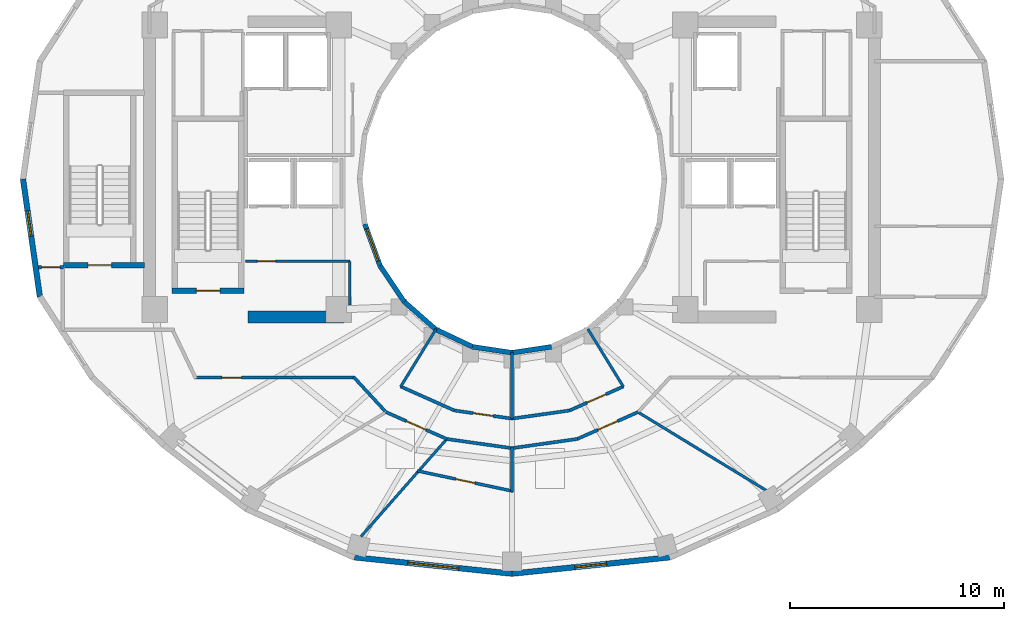
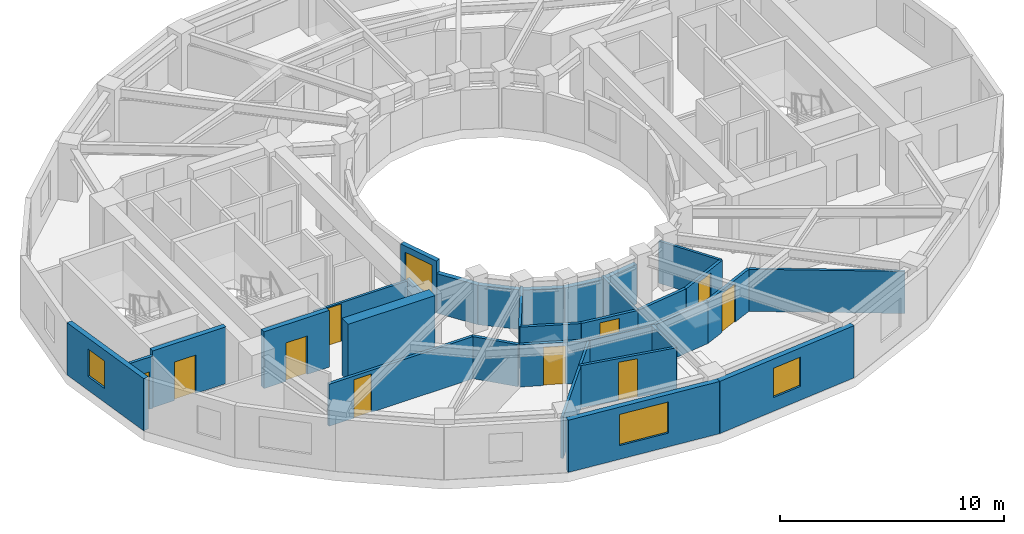
# One storey, part 3 of 9: 32 walls, 10 doors, 4 windows, 14 openings.
"""IFC4 building model written with IfcOpenShell, lengths in metres."""

from ifc_helpers import new_model, si_unit, direction, frame, frame_2d, origin, place, context, subcontext, project, spatial, rectangle, extrude, material, layer, layer_set, type_object, element, fill, save


model = new_model("IFC4")

# Units and contexts
model_context = context("Model", 3, precision=1e-05, world=origin(), true_north=direction((0.0, 1.0)))
body_context = subcontext(model_context, "Body", "Model", "MODEL_VIEW")
ifc_project = project(units=[si_unit("LENGTHUNIT", "METRE"), si_unit("AREAUNIT", "SQUARE_METRE"), si_unit("VOLUMEUNIT", "CUBIC_METRE"), si_unit("PLANEANGLEUNIT", "RADIAN"), si_unit("MASSUNIT", "GRAM", prefix="KILO")], contexts=[model_context])

# Site, building, storey
site_placement = place(None, origin())
site = spatial("IfcSite", under=ifc_project, at=site_placement, CompositionType="ELEMENT")
building_placement = place(site_placement, origin())
building = spatial("IfcBuilding", under=site, at=building_placement, Name="Solvane Sanctuary Tower", CompositionType="ELEMENT")
storey_placement = place(building_placement, frame((0.0, 0.0, 180.800048828125)))
storey = spatial("IfcBuildingStorey", under=building, at=storey_placement, Name="L55", CompositionType="ELEMENT", Elevation=180.800048828125)

# Wall
ifc_material_1 = material(Name="Concrete C50/60", Category="concrete")
ifc_layer_1 = layer(ifc_material_1, 0.550048828125, Name="Concrete C50/60")
ifc_layer_set_1 = layer_set([ifc_layer_1], Name="Concrete C50/60")
wall_type_1 = type_object("IfcWallType", Name="Wall W-CORE-550", PredefinedType="SHEAR", material=ifc_layer_set_1)
wall_1_placement = place(storey_placement, frame((19.64990234375, 16.550048828125, 0.0), z_axis=(0.0, 0.0, 1.0), x_axis=(1.0, 0.0, 0.0)))
element("IfcWall", 1, at=wall_1_placement, inside=storey, type_object=wall_type_1, Name="L55 Core Shear Wall WC-S", PredefinedType="SHEAR", context=body_context, shape_type="SweptSolid", body=[
    extrude(rectangle(XDim=4.5, YDim=0.550048828125, at=frame_2d((2.25, 0.0))), origin(), (0.0, 0.0, 1.0), 3.099853515625),
])

# Wall, opening, door
ifc_material_2 = material(Name="Acoustic Gypsum Partition Board")
ifc_layer_2 = layer(ifc_material_2, 0.14990234375, Name="Acoustic Gypsum Partition Board")
ifc_layer_set_2 = layer_set([ifc_layer_2], Name="Acoustic Gypsum Partition Board")
wall_type_2 = type_object("IfcWallType", Name="Wall W-CORR-150", PredefinedType="PARTITIONING", material=ifc_layer_set_2)
wall_2_placement = place(storey_placement, frame((9.869873046875, 18.8798828125, 0.0), z_axis=(0.0, 0.0, 1.0), x_axis=(1.0, 0.0, 0.0)))
wall_2 = element("IfcWall", 2, at=wall_2_placement, inside=storey, type_object=wall_type_2, Name="L55 SW Corner Closer 1", PredefinedType="PARTITIONING", context=body_context, shape_type="SweptSolid", body=[
    extrude(rectangle(XDim=1.170166015625, YDim=0.14990234375, at=frame_2d((0.5849609375, 0.0))), origin(), (0.0, 0.0, 1.0), 2.85498046875),
])
opening_1_placement = place(wall_2_placement, frame((0.139892578125, 0.0, 0.0)))
opening_1 = element("IfcOpeningElement", 3, at=opening_1_placement, cuts=wall_2, Name="Opening D-L55-17", PredefinedType="OPENING", context=body_context, shape_type="SweptSolid", body=[
    extrude(rectangle(XDim=0.85009765625, YDim=2.050048828125, at=frame_2d((0.425048828125, 1.02490234375))), frame((0.0, 0.0849609375, 0.0), z_axis=(0.0, -1.0, 0.0), x_axis=(1.0, 0.0, 0.0)), (0.0, 0.0, 1.0), 0.169921875),
])
ifc_material_3 = material(Name="Architectural Stainless Steel 316", Category="steel")
door_type_1 = type_object("IfcDoorType", Name="Door D-RISER", OperationType="NOTDEFINED", PredefinedType="DOOR", material=ifc_material_3)
door_1_placement = place(opening_1_placement, origin())
door_1 = element("IfcDoor", 4, at=door_1_placement, inside=storey, type_object=door_type_1, Name="L55 West Lookout Study Door", OperationType="SINGLE_SWING_LEFT", OverallHeight=2.050048828125, OverallWidth=0.85009765625, PredefinedType="DOOR", context=body_context, shape_type="SweptSolid", body=[
    extrude(rectangle(XDim=0.85009765625, YDim=2.050048828125, at=frame_2d((0.425048828125, 1.02490234375))), frame((0.0, 0.02490234375, 0.0), z_axis=(0.0, -1.0, 0.0), x_axis=(1.0, 0.0, 0.0)), (0.0, 0.0, 1.0), 0.050048828125),
])
fill(opening_1, door_1)

# Wall
wall_3_placement = place(storey_placement, frame((26.07177734375, 12.144287109375, 0.0), z_axis=(0.0, 0.0, 1.0), x_axis=(-0.677579737957, 0.735449317567, 0.0)))
element("IfcWall", 5, at=wall_3_placement, inside=storey, type_object=wall_type_2, Name="L55 SW Corner Throat Wall", PredefinedType="PARTITIONING", context=body_context, shape_type="SweptSolid", body=[
    extrude(rectangle(XDim=2.172607421875, YDim=0.14990234375, at=frame_2d((1.08642578125, 0.0))), origin(), (0.0, 0.0, 1.0), 2.299072265625),
])

# Wall, opening, door
wall_4_placement = place(storey_placement, frame((17.14990234375, 13.719970703125, 0.0), z_axis=(0.0, 0.0, 1.0), x_axis=(1.0, 0.0, 0.0)))
wall_4 = element("IfcWall", 6, at=wall_4_placement, inside=storey, type_object=wall_type_2, Name="L55 SW Corner Corridor Wall", PredefinedType="PARTITIONING", context=body_context, shape_type="SweptSolid", body=[
    extrude(rectangle(XDim=7.52001953125, YDim=0.14990234375, at=frame_2d((3.760009765625, 0.0))), origin(), (0.0, 0.0, 1.0), 2.299072265625),
])
opening_2_placement = place(wall_4_placement, frame((1.300048828125, 0.0, 0.0)))
opening_2 = element("IfcOpeningElement", 7, at=opening_2_placement, cuts=wall_4, Name="Opening D-L55-18", PredefinedType="OPENING", context=body_context, shape_type="SweptSolid", body=[
    extrude(rectangle(XDim=0.89990234375, YDim=2.10009765625, at=frame_2d((0.449951171875, 1.050048828125))), frame((0.0, 0.0849609375, 0.0), z_axis=(0.0, -1.0, 0.0), x_axis=(1.0, 0.0, 0.0)), (0.0, 0.0, 1.0), 0.169921875),
])
ifc_material_4 = material(Name="Engineered Tropical Hardwood", Category="wood")
door_type_2 = type_object("IfcDoorType", Name="Door D-WET-900", OperationType="NOTDEFINED", PredefinedType="DOOR", material=ifc_material_4)
door_2_placement = place(opening_2_placement, origin())
door_2 = element("IfcDoor", 8, at=door_2_placement, inside=storey, type_object=door_type_2, Name="L55 SW Corner Salon Door", OperationType="SINGLE_SWING_RIGHT", OverallHeight=2.10009765625, OverallWidth=0.89990234375, PredefinedType="DOOR", context=body_context, shape_type="SweptSolid", body=[
    extrude(rectangle(XDim=0.89990234375, YDim=2.10009765625, at=frame_2d((0.449951171875, 1.050048828125))), frame((0.0, 0.02490234375, 0.0), z_axis=(0.0, -1.0, 0.0), x_axis=(1.0, 0.0, 0.0)), (0.0, 0.0, 1.0), 0.050048828125),
])
fill(opening_2, door_2)

# Wall
wall_5_placement = place(storey_placement, frame((26.792724609375, 13.302734375, 0.0), z_axis=(0.0, 0.0, 1.0), x_axis=(0.913145536541, -0.407633694749, 0.0)))
element("IfcWall", 9, at=wall_5_placement, inside=storey, type_object=wall_type_2, Name="L55 Inner Light-Well Corridor Wall S1", PredefinedType="PARTITIONING", context=body_context, shape_type="SweptSolid", body=[
    extrude(rectangle(XDim=2.75634765625, YDim=0.14990234375, at=frame_2d((1.378173828125, 0.0))), origin(), (0.0, 0.0, 1.0), 2.299072265625),
])

# Wall, opening, door
wall_6_placement = place(storey_placement, frame((29.305908203125, 12.18017578125, 0.0), z_axis=(0.0, 0.0, 1.0), x_axis=(0.990145400278, -0.140043158738, 0.0)))
wall_6 = element("IfcWall", 10, at=wall_6_placement, inside=storey, type_object=wall_type_2, Name="L55 Inner Light-Well Corridor Wall S1", PredefinedType="PARTITIONING", context=body_context, shape_type="SweptSolid", body=[
    extrude(rectangle(XDim=2.728271484375, YDim=0.14990234375, at=frame_2d((1.3642578125, 0.0))), origin(), (0.0, 0.0, 1.0), 2.299072265625),
])
opening_3_placement = place(wall_6_placement, frame((0.88916015625, 0.0, 0.0)))
opening_3 = element("IfcOpeningElement", 11, at=opening_3_placement, cuts=wall_6, Name="Opening D-L55-20", PredefinedType="OPENING", context=body_context, shape_type="SweptSolid", body=[
    extrude(rectangle(XDim=0.949951171875, YDim=2.10009765625, at=frame_2d((0.47509765625, 1.050048828125))), frame((0.0, 0.0849609375, 0.0), z_axis=(0.0, -1.0, 0.0), x_axis=(1.0, 0.0, 0.0)), (0.0, 0.0, 1.0), 0.169921875),
])
door_type_3 = type_object("IfcDoorType", Name="Door D-ROOM-950", OperationType="NOTDEFINED", PredefinedType="DOOR", material=ifc_material_4)
door_3_placement = place(opening_3_placement, origin())
door_3 = element("IfcDoor", 12, at=door_3_placement, inside=storey, type_object=door_type_3, Name="L55 Inner Light-Well Salon Door S1", OperationType="SINGLE_SWING_RIGHT", OverallHeight=2.10009765625, OverallWidth=0.949951171875, PredefinedType="DOOR", context=body_context, shape_type="SweptSolid", body=[
    extrude(rectangle(XDim=0.949951171875, YDim=2.10009765625, at=frame_2d((0.47509765625, 1.050048828125))), frame((0.0, 0.02490234375, 0.0), z_axis=(0.0, -1.0, 0.0), x_axis=(1.0, 0.0, 0.0)), (0.0, 0.0, 1.0), 0.050048828125),
])
fill(opening_3, door_3)

# Wall
wall_7_placement = place(storey_placement, frame((31.99267578125, 11.798095703125, 0.0), z_axis=(0.0, 0.0, 1.0), x_axis=(0.990145400278, 0.140043158738, 0.0)))
element("IfcWall", 13, at=wall_7_placement, inside=storey, type_object=wall_type_2, Name="L55 Inner Light-Well Corridor Wall S2", PredefinedType="PARTITIONING", context=body_context, shape_type="SweptSolid", body=[
    extrude(rectangle(XDim=2.728271484375, YDim=0.14990234375, at=frame_2d((1.3642578125, 0.0))), origin(), (0.0, 0.0, 1.0), 2.299072265625),
])

# Wall, opening, door
wall_8_placement = place(storey_placement, frame((34.6904296875, 12.17919921875, 0.0), z_axis=(0.0, 0.0, 1.0), x_axis=(0.913145536541, 0.407633694749, 0.0)))
wall_8 = element("IfcWall", 14, at=wall_8_placement, inside=storey, type_object=wall_type_2, Name="L55 Inner Light-Well Corridor Wall S2", PredefinedType="PARTITIONING", context=body_context, shape_type="SweptSolid", body=[
    extrude(rectangle(XDim=2.75634765625, YDim=0.14990234375, at=frame_2d((1.378173828125, 0.0))), origin(), (0.0, 0.0, 1.0), 2.299072265625),
])
opening_4_placement = place(wall_8_placement, frame((0.903076171875, 0.0, 0.0)))
opening_4 = element("IfcOpeningElement", 15, at=opening_4_placement, cuts=wall_8, Name="Opening D-L55-21", PredefinedType="OPENING", context=body_context, shape_type="SweptSolid", body=[
    extrude(rectangle(XDim=0.949951171875, YDim=2.10009765625, at=frame_2d((0.47509765625, 1.050048828125))), frame((0.0, 0.0849609375, 0.0), z_axis=(0.0, -1.0, 0.0), x_axis=(1.0, 0.0, 0.0)), (0.0, 0.0, 1.0), 0.169921875),
])
door_4_placement = place(opening_4_placement, origin())
door_4 = element("IfcDoor", 16, at=door_4_placement, inside=storey, type_object=door_type_3, Name="L55 Inner Light-Well Salon Door S2", OperationType="SINGLE_SWING_LEFT", OverallHeight=2.10009765625, OverallWidth=0.949951171875, PredefinedType="DOOR", context=body_context, shape_type="SweptSolid", body=[
    extrude(rectangle(XDim=0.949951171875, YDim=2.10009765625, at=frame_2d((0.47509765625, 1.050048828125))), frame((0.0, 0.02490234375, 0.0), z_axis=(0.0, -1.0, 0.0), x_axis=(1.0, 0.0, 0.0)), (0.0, 0.0, 1.0), 0.050048828125),
])
fill(opening_4, door_4)

wall_9_placement = place(storey_placement, frame((26.101806640625, 12.108154296875, 0.0), z_axis=(0.0, 0.0, 1.0), x_axis=(0.914519212393, -0.40454247016, 0.0)))
wall_9 = element("IfcWall", 17, at=wall_9_placement, inside=storey, type_object=wall_type_2, Name="L55 Unit Corridor Wall S1", PredefinedType="PARTITIONING", context=body_context, shape_type="SweptSolid", body=[
    extrude(rectangle(XDim=3.123779296875, YDim=0.14990234375, at=frame_2d((1.56201171875, 0.0))), origin(), (0.0, 0.0, 1.0), 2.299072265625),
])
opening_5_placement = place(wall_9_placement, frame((1.061767578125, 0.0, 0.0)))
opening_5 = element("IfcOpeningElement", 18, at=opening_5_placement, cuts=wall_9, Name="Opening D-L55-27", PredefinedType="OPENING", context=body_context, shape_type="SweptSolid", body=[
    extrude(rectangle(XDim=1.0, YDim=2.10009765625, at=frame_2d((0.5, 1.050048828125))), frame((0.0, 0.0849609375, 0.0), z_axis=(0.0, -1.0, 0.0), x_axis=(1.0, 0.0, 0.0)), (0.0, 0.0, 1.0), 0.169921875),
])
door_type_4 = type_object("IfcDoorType", Name="Door D-UNIT", OperationType="NOTDEFINED", PredefinedType="DOOR", material=ifc_material_4)
door_5_placement = place(opening_5_placement, origin())
door_5 = element("IfcDoor", 19, at=door_5_placement, inside=storey, type_object=door_type_4, Name="L55 Unit Entrance Door S1", OperationType="SINGLE_SWING_LEFT", OverallHeight=2.10009765625, OverallWidth=1.0, PredefinedType="DOOR", context=body_context, shape_type="SweptSolid", body=[
    extrude(rectangle(XDim=1.0, YDim=2.10009765625, at=frame_2d((0.5, 1.050048828125))), frame((0.0, 0.02490234375, 0.0), z_axis=(0.0, -1.0, 0.0), x_axis=(1.0, 0.0, 0.0)), (0.0, 0.0, 1.0), 0.050048828125),
])
fill(opening_5, door_5)

# Walls
wall_10_placement = place(storey_placement, frame((28.901123046875, 10.853759765625, 0.0), z_axis=(0.0, 0.0, 1.0), x_axis=(0.990251283702, -0.139292480508, 0.0)))
element("IfcWall", 20, at=wall_10_placement, inside=storey, type_object=wall_type_2, Name="L55 En-suite Inner Wall S2", PredefinedType="PARTITIONING", context=body_context, shape_type="SweptSolid", body=[
    extrude(rectangle(XDim=3.179443359375, YDim=0.14990234375, at=frame_2d((1.58984375, 0.0))), origin(), (0.0, 0.0, 1.0), 2.299072265625),
])
wall_11_placement = place(storey_placement, frame((31.99169921875, 10.41796875, 0.0), z_axis=(0.0, 0.0, 1.0), x_axis=(0.990254709652, 0.13926812274, 0.0)))
element("IfcWall", 21, at=wall_11_placement, inside=storey, type_object=wall_type_2, Name="L55 Unit Corridor Wall S2", PredefinedType="PARTITIONING", context=body_context, shape_type="SweptSolid", body=[
    extrude(rectangle(XDim=3.095947265625, YDim=0.14990234375, at=frame_2d((1.5478515625, 0.0))), origin(), (0.0, 0.0, 1.0), 2.299072265625),
])

# Wall, opening, door
wall_12_placement = place(storey_placement, frame((35.04150390625, 10.844482421875, 0.0), z_axis=(0.0, 0.0, 1.0), x_axis=(0.914519212393, 0.40454247016, 0.0)))
wall_12 = element("IfcWall", 22, at=wall_12_placement, inside=storey, type_object=wall_type_2, Name="L55 Unit Corridor Wall S2", PredefinedType="PARTITIONING", context=body_context, shape_type="SweptSolid", body=[
    extrude(rectangle(XDim=3.123779296875, YDim=0.14990234375, at=frame_2d((1.56201171875, 0.0))), origin(), (0.0, 0.0, 1.0), 2.299072265625),
])
opening_6_placement = place(wall_12_placement, frame((1.061767578125, 0.0, 0.0)))
opening_6 = element("IfcOpeningElement", 23, at=opening_6_placement, cuts=wall_12, Name="Opening D-L55-29", PredefinedType="OPENING", context=body_context, shape_type="SweptSolid", body=[
    extrude(rectangle(XDim=1.0, YDim=2.10009765625, at=frame_2d((0.5, 1.050048828125))), frame((0.0, 0.0849609375, 0.0), z_axis=(0.0, -1.0, 0.0), x_axis=(1.0, 0.0, 0.0)), (0.0, 0.0, 1.0), 0.169921875),
])
door_6_placement = place(opening_6_placement, origin())
door_6 = element("IfcDoor", 24, at=door_6_placement, inside=storey, type_object=door_type_4, Name="L55 Unit Entrance Door S2", OperationType="SINGLE_SWING_LEFT", OverallHeight=2.10009765625, OverallWidth=1.0, PredefinedType="DOOR", context=body_context, shape_type="SweptSolid", body=[
    extrude(rectangle(XDim=1.0, YDim=2.10009765625, at=frame_2d((0.5, 1.050048828125))), frame((0.0, 0.02490234375, 0.0), z_axis=(0.0, -1.0, 0.0), x_axis=(1.0, 0.0, 0.0)), (0.0, 0.0, 1.0), 0.050048828125),
])
fill(opening_6, door_6)

# Wall, opening, window
ifc_material_5 = material(Name="Precast concrete C40/50", Category="concrete")
ifc_layer_3 = layer(ifc_material_5, 0.260009765625, Name="Precast concrete C40/50")
ifc_layer_set_3 = layer_set([ifc_layer_3], Name="Precast concrete C40/50")
wall_type_3 = type_object("IfcWallType", Name="Wall W-EXT-250", PredefinedType="STANDARD", material=ifc_layer_set_3)
wall_13_placement = place(storey_placement, frame((9.139892578125, 23.0, 0.0), z_axis=(0.0, 0.0, 1.0), x_axis=(0.142227632286, -0.989833976288, 0.0)))
wall_13 = element("IfcWall", 25, at=wall_13_placement, inside=storey, type_object=wall_type_3, Name="L55 Ceramic-Printed Facade Wall 12", PredefinedType="STANDARD", context=body_context, shape_type="SweptSolid", body=[
    extrude(rectangle(XDim=5.552978515625, YDim=0.260009765625, at=frame_2d((2.7763671875, 0.0))), origin(), (0.0, 0.0, 1.0), 2.849853515625),
])
opening_7_placement = place(wall_13_placement, frame((1.506103515625, 0.0, 0.75)))
opening_7 = element("IfcOpeningElement", 26, at=opening_7_placement, cuts=wall_13, Name="Opening WN-OPER-1200", PredefinedType="OPENING", context=body_context, shape_type="SweptSolid", body=[
    extrude(rectangle(XDim=1.199951171875, YDim=1.5, at=frame_2d((0.60009765625, 0.75))), frame((0.0, 0.139892578125, 0.0), z_axis=(0.0, -1.0, 0.0), x_axis=(1.0, 0.0, 0.0)), (0.0, 0.0, 1.0), 0.280029296875),
])
ifc_material_6 = material(Name="Dark Ceramic-Fritted Low-E Glass", Category="glass")
window_type_1 = type_object("IfcWindowType", Name="Window WN-OPER-1200", PartitioningType="SINGLE_PANEL", PredefinedType="WINDOW", material=ifc_material_6)
window_1_placement = place(opening_7_placement, origin())
window_1 = element("IfcWindow", 27, at=window_1_placement, inside=storey, type_object=window_type_1, Name="L55 Operable Facade Window 12", OverallHeight=1.5, OverallWidth=1.199951171875, PartitioningType="SINGLE_PANEL", PredefinedType="WINDOW", context=body_context, shape_type="SweptSolid", body=[
    extrude(rectangle(XDim=1.199951171875, YDim=1.5, at=frame_2d((0.60009765625, 0.75))), frame((0.0, 0.030029296875, 0.0), z_axis=(0.0, -1.0, 0.0), x_axis=(1.0, 0.0, 0.0)), (0.0, 0.0, 1.0), 0.06005859375),
])
fill(opening_7, window_1)

wall_14_placement = place(storey_placement, frame((24.634765625, 5.3154296875, 0.0), z_axis=(0.0, 0.0, 1.0), x_axis=(0.994664178965, -0.10316574569, 0.0)))
wall_14 = element("IfcWall", 28, at=wall_14_placement, inside=storey, type_object=wall_type_3, Name="L55 Ceramic-Printed Facade Wall 17", PredefinedType="STANDARD", context=body_context, shape_type="SweptSolid", body=[
    extrude(rectangle(XDim=7.40478515625, YDim=0.260009765625, at=frame_2d((3.702392578125, 0.0))), origin(), (0.0, 0.0, 1.0), 2.849853515625),
])
opening_8_placement = place(wall_14_placement, frame((2.50244140625, 0.0, 0.75)))
opening_8 = element("IfcOpeningElement", 29, at=opening_8_placement, cuts=wall_14, Name="Opening WN-RIB-2400", PredefinedType="OPENING", context=body_context, shape_type="SweptSolid", body=[
    extrude(rectangle(XDim=2.39990234375, YDim=1.699951171875, at=frame_2d((1.199951171875, 0.85009765625))), frame((0.0, 0.139892578125, 0.0), z_axis=(0.0, -1.0, 0.0), x_axis=(1.0, 0.0, 0.0)), (0.0, 0.0, 1.0), 0.280029296875),
])
window_type_2 = type_object("IfcWindowType", Name="Window WN-RIB-2400", PartitioningType="SINGLE_PANEL", PredefinedType="WINDOW", material=ifc_material_6)
window_2_placement = place(opening_8_placement, origin())
window_2 = element("IfcWindow", 30, at=window_2_placement, inside=storey, type_object=window_type_2, Name="L55 Operable Facade Window 17", OverallHeight=1.699951171875, OverallWidth=2.39990234375, PartitioningType="SINGLE_PANEL", PredefinedType="WINDOW", context=body_context, shape_type="SweptSolid", body=[
    extrude(rectangle(XDim=2.39990234375, YDim=1.699951171875, at=frame_2d((1.199951171875, 0.85009765625))), frame((0.0, 0.030029296875, 0.0), z_axis=(0.0, -1.0, 0.0), x_axis=(1.0, 0.0, 0.0)), (0.0, 0.0, 1.0), 0.06005859375),
])
fill(opening_8, window_2)

wall_15_placement = place(storey_placement, frame((32.0, 4.551513671875, 0.0), z_axis=(0.0, 0.0, 1.0), x_axis=(0.994664178965, 0.10316574569, 0.0)))
wall_15 = element("IfcWall", 31, at=wall_15_placement, inside=storey, type_object=wall_type_3, Name="L55 Ceramic-Printed Facade Wall 18", PredefinedType="STANDARD", context=body_context, shape_type="SweptSolid", body=[
    extrude(rectangle(XDim=7.40478515625, YDim=0.260009765625, at=frame_2d((3.702392578125, 0.0))), origin(), (0.0, 0.0, 1.0), 2.849853515625),
])
opening_9_placement = place(wall_15_placement, frame((2.952392578125, 0.0, 0.75)))
opening_9 = element("IfcOpeningElement", 32, at=opening_9_placement, cuts=wall_15, Name="Opening WN-OPER-1500", PredefinedType="OPENING", context=body_context, shape_type="SweptSolid", body=[
    extrude(rectangle(XDim=1.5, YDim=1.60009765625, at=frame_2d((0.75, 0.800048828125))), frame((0.0, 0.139892578125, 0.0), z_axis=(0.0, -1.0, 0.0), x_axis=(1.0, 0.0, 0.0)), (0.0, 0.0, 1.0), 0.280029296875),
])
window_type_3 = type_object("IfcWindowType", Name="Window WN-OPER-1500", PartitioningType="SINGLE_PANEL", PredefinedType="WINDOW", material=ifc_material_6)
window_3_placement = place(opening_9_placement, origin())
window_3 = element("IfcWindow", 33, at=window_3_placement, inside=storey, type_object=window_type_3, Name="L55 Operable Facade Window 18", OverallHeight=1.60009765625, OverallWidth=1.5, PartitioningType="SINGLE_PANEL", PredefinedType="WINDOW", context=body_context, shape_type="SweptSolid", body=[
    extrude(rectangle(XDim=1.5, YDim=1.60009765625, at=frame_2d((0.75, 0.800048828125))), frame((0.0, 0.030029296875, 0.0), z_axis=(0.0, -1.0, 0.0), x_axis=(1.0, 0.0, 0.0)), (0.0, 0.0, 1.0), 0.06005859375),
])
fill(opening_9, window_3)

ifc_layer_4 = layer(ifc_material_5, 0.22998046875, Name="Precast concrete C40/50")
ifc_layer_set_4 = layer_set([ifc_layer_4], Name="Precast concrete C40/50")
wall_type_4 = type_object("IfcWallType", Name="Wall W-EXT-SP220", PredefinedType="STANDARD", material=ifc_layer_set_4)
wall_16_placement = place(storey_placement, frame((25.12255859375, 20.8984375, 0.0), z_axis=(0.0, 0.0, 1.0), x_axis=(0.341423187295, -0.93990968033, 0.0)))
wall_16 = element("IfcWall", 34, at=wall_16_placement, inside=storey, type_object=wall_type_4, Name="L55 Central Light-Well Wall 13", PredefinedType="STANDARD", context=body_context, shape_type="SweptSolid", body=[
    extrude(rectangle(XDim=2.083740234375, YDim=0.22998046875, at=frame_2d((1.0419921875, 0.0))), origin(), (0.0, 0.0, 1.0), 2.83984375),
])
opening_10_placement = place(wall_16_placement, frame((0.24169921875, 0.0, 0.85009765625)))
opening_10 = element("IfcOpeningElement", 35, at=opening_10_placement, cuts=wall_16, Name="Opening WN-WELL-1600", PredefinedType="OPENING", context=body_context, shape_type="SweptSolid", body=[
    extrude(rectangle(XDim=1.60009765625, YDim=1.64990234375, at=frame_2d((0.800048828125, 0.824951171875))), frame((0.0, 0.125, 0.0), z_axis=(0.0, -1.0, 0.0), x_axis=(1.0, 0.0, 0.0)), (0.0, 0.0, 1.0), 0.25),
])
ifc_material_7 = material(Name="Clear Laminated Light-Well Glass", Category="glass")
window_type_4 = type_object("IfcWindowType", Name="Window WN-WELL-1600", PartitioningType="SINGLE_PANEL", PredefinedType="WINDOW", material=ifc_material_7)
window_4_placement = place(opening_10_placement, origin())
window_4 = element("IfcWindow", 36, at=window_4_placement, inside=storey, type_object=window_type_4, Name="L55 Light-Well Daylight Window 13", OverallHeight=1.64990234375, OverallWidth=1.60009765625, PartitioningType="SINGLE_PANEL", PredefinedType="WINDOW", context=body_context, shape_type="SweptSolid", body=[
    extrude(rectangle(XDim=1.60009765625, YDim=1.64990234375, at=frame_2d((0.800048828125, 0.824951171875))), frame((0.0, 0.030029296875, 0.0), z_axis=(0.0, -1.0, 0.0), x_axis=(1.0, 0.0, 0.0)), (0.0, 0.0, 1.0), 0.06005859375),
])
fill(opening_10, window_4)

# Walls
wall_17_placement = place(storey_placement, frame((25.833984375, 18.93994140625, 0.0), z_axis=(0.0, 0.0, 1.0), x_axis=(0.558197800898, -0.829707909492, 0.0)))
element("IfcWall", 37, at=wall_17_placement, inside=storey, type_object=wall_type_4, Name="L55 Central Light-Well Wall 14", PredefinedType="STANDARD", context=body_context, shape_type="SweptSolid", body=[
    extrude(rectangle(XDim=2.02685546875, YDim=0.22998046875, at=frame_2d((1.013427734375, 0.0))), origin(), (0.0, 0.0, 1.0), 2.159912109375),
])
wall_18_placement = place(storey_placement, frame((26.96533203125, 17.25830078125, 0.0), z_axis=(0.0, 0.0, 1.0), x_axis=(0.752576694707, -0.658504607869, 0.0)))
element("IfcWall", 38, at=wall_18_placement, inside=storey, type_object=wall_type_4, Name="L55 Central Light-Well Wall 15", PredefinedType="STANDARD", context=body_context, shape_type="SweptSolid", body=[
    extrude(rectangle(XDim=1.95947265625, YDim=0.22998046875, at=frame_2d((0.979736328125, 0.0))), origin(), (0.0, 0.0, 1.0), 2.159912109375),
])
wall_19_placement = place(storey_placement, frame((28.43994140625, 15.968017578125, 0.0), z_axis=(0.0, 0.0, 1.0), x_axis=(0.904179699603, -0.427152280606, 0.0)))
element("IfcWall", 39, at=wall_19_placement, inside=storey, type_object=wall_type_4, Name="L55 Central Light-Well Wall 16", PredefinedType="STANDARD", context=body_context, shape_type="SweptSolid", body=[
    extrude(rectangle(XDim=1.899169921875, YDim=0.22998046875, at=frame_2d((0.94970703125, 0.0))), origin(), (0.0, 0.0, 1.0), 2.159912109375),
])
for number, where, z_axis, x_axis, name in (
    (40, (30.1572265625, 15.15673828125, 0.0), (0.0, 0.0, 1.0), (0.988901730308, -0.148571086668, 0.0), "L55 Central Light-Well Wall 17"),
    (41, (32.0, 14.8798828125, 0.0), (0.0, 0.0, 1.0), (0.988901730308, 0.148571086668, 0.0), "L55 Central Light-Well Wall 18"),
):
    element("IfcWall", number, at=place(storey_placement, frame(where, z_axis=z_axis, x_axis=x_axis)), inside=storey, type_object=wall_type_4, Name=name, PredefinedType="STANDARD", context=body_context, shape_type="SweptSolid", body=[
        extrude(rectangle(XDim=1.863525390625, YDim=0.22998046875, at=frame_2d((0.931640625, 0.0))), origin(), (0.0, 0.0, 1.0), 2.159912109375),
    ])

# Wall, opening, door
ifc_layer_5 = layer(ifc_material_2, 0.125, Name="Acoustic Gypsum Partition Board")
ifc_layer_set_5 = layer_set([ifc_layer_5], Name="Acoustic Gypsum Partition Board")
wall_type_5 = type_object("IfcWallType", Name="Wall W-PART-125", PredefinedType="PARTITIONING", material=ifc_layer_set_5)
wall_20_placement = place(storey_placement, frame((19.550048828125, 19.159912109375, 0.0), z_axis=(0.0, 0.0, 1.0), x_axis=(1.0, 0.0, 0.0)))
wall_20 = element("IfcWall", 42, at=wall_20_placement, inside=storey, type_object=wall_type_5, Name="L55 Reclaimed Room Partition PLW", PredefinedType="PARTITIONING", context=body_context, shape_type="SweptSolid", body=[
    extrude(rectangle(XDim=4.869873046875, YDim=0.125, at=frame_2d((2.43505859375, 0.0))), origin(), (0.0, 0.0, 1.0), 2.119873046875),
])
opening_11_placement = place(wall_20_placement, frame((0.550048828125, 0.0, 0.0)))
opening_11 = element("IfcOpeningElement", 43, at=opening_11_placement, cuts=wall_20, Name="Opening D-L55-06", PredefinedType="OPENING", context=body_context, shape_type="SweptSolid", body=[
    extrude(rectangle(XDim=0.85009765625, YDim=2.050048828125, at=frame_2d((0.425048828125, 1.02490234375))), frame((0.0, 0.072509765625, 0.0), z_axis=(0.0, -1.0, 0.0), x_axis=(1.0, 0.0, 0.0)), (0.0, 0.0, 1.0), 0.14501953125),
])
door_7_placement = place(opening_11_placement, origin())
door_7 = element("IfcDoor", 44, at=door_7_placement, inside=storey, type_object=door_type_1, Name="L55 Reclaimed Room Door PLW-1", OperationType="SINGLE_SWING_RIGHT", OverallHeight=2.050048828125, OverallWidth=0.85009765625, PredefinedType="DOOR", context=body_context, shape_type="SweptSolid", body=[
    extrude(rectangle(XDim=0.85009765625, YDim=2.050048828125, at=frame_2d((0.425048828125, 1.02490234375))), frame((0.0, 0.02490234375, 0.0), z_axis=(0.0, -1.0, 0.0), x_axis=(1.0, 0.0, 0.0)), (0.0, 0.0, 1.0), 0.050048828125),
])
fill(opening_11, door_7)

# Walls
wall_21_placement = place(storey_placement, frame((24.419921875, 17.10009765625, 0.0), z_axis=(0.0, 0.0, 1.0), x_axis=(0.0, 1.0, 0.0)))
element("IfcWall", 45, at=wall_21_placement, inside=storey, type_object=wall_type_5, Name="L55 Reclaimed Room Closer Wall PLW-1", PredefinedType="PARTITIONING", context=body_context, shape_type="SweptSolid", body=[
    extrude(rectangle(XDim=2.039794921875, YDim=0.125, at=frame_2d((1.02001953125, 0.0))), origin(), (0.0, 0.0, 1.0), 2.23193359375),
])
wall_22_placement = place(storey_placement, frame((28.449951171875, 15.985107421875, 0.0), z_axis=(0.0, 0.0, 1.0), x_axis=(-0.523587550846, -0.851971875474, 0.0)))
element("IfcWall", 46, at=wall_22_placement, inside=storey, type_object=wall_type_5, Name="L55 Inner Light-Well Radial Wall 240", PredefinedType="PARTITIONING", context=body_context, shape_type="SweptSolid", body=[
    extrude(rectangle(XDim=3.153076171875, YDim=0.125, at=frame_2d((1.57666015625, 0.0))), origin(), (0.0, 0.0, 1.0), 2.299072265625),
])
wall_23_placement = place(storey_placement, frame((32.0, 14.89990234375, 0.0), z_axis=(0.0, 0.0, 1.0), x_axis=(0.0, -1.0, 0.0)))
element("IfcWall", 47, at=wall_23_placement, inside=storey, type_object=wall_type_5, Name="L55 Inner Light-Well Radial Wall 270", PredefinedType="PARTITIONING", context=body_context, shape_type="SweptSolid", body=[
    extrude(rectangle(XDim=3.101806640625, YDim=0.125, at=frame_2d((1.55078125, 0.0))), origin(), (0.0, 0.0, 1.0), 2.299072265625),
])
wall_24_placement = place(storey_placement, frame((35.550048828125, 15.985107421875, 0.0), z_axis=(0.0, 0.0, 1.0), x_axis=(0.523587550846, -0.851971875474, 0.0)))
element("IfcWall", 48, at=wall_24_placement, inside=storey, type_object=wall_type_5, Name="L55 Inner Light-Well Radial Wall 300", PredefinedType="PARTITIONING", context=body_context, shape_type="SweptSolid", body=[
    extrude(rectangle(XDim=3.153076171875, YDim=0.125, at=frame_2d((1.57666015625, 0.0))), origin(), (0.0, 0.0, 1.0), 2.299072265625),
])
wall_25_placement = place(storey_placement, frame((28.914306640625, 10.805419921875, 0.0), z_axis=(0.0, 0.0, 1.0), x_axis=(-0.660581320981, -0.750754499401, 0.0)))
element("IfcWall", 49, at=wall_25_placement, inside=storey, type_object=wall_type_5, Name="L55 Radial Compartment Wall 255", PredefinedType="PARTITIONING", context=body_context, shape_type="SweptSolid", body=[
    extrude(rectangle(XDim=6.02685546875, YDim=0.125, at=frame_2d((3.013427734375, 0.0))), origin(), (0.0, 0.0, 1.0), 2.299072265625),
])
wall_26_placement = place(storey_placement, frame((37.93798828125, 12.074951171875, 0.0), z_axis=(0.0, 0.0, 1.0), x_axis=(0.853440334679, -0.521190555501, 0.0)))
element("IfcWall", 50, at=wall_26_placement, inside=storey, type_object=wall_type_5, Name="L55 Radial Compartment Wall 300", PredefinedType="PARTITIONING", context=body_context, shape_type="SweptSolid", body=[
    extrude(rectangle(XDim=6.966064453125, YDim=0.125, at=frame_2d((3.48291015625, 0.0))), origin(), (0.0, 0.0, 1.0), 2.299072265625),
])

# Wall, opening, door
ifc_layer_6 = layer(ifc_material_1, 0.25, Name="Concrete C50/60")
ifc_layer_set_6 = layer_set([ifc_layer_6], Name="Concrete C50/60")
wall_type_6 = type_object("IfcWallType", Name="Wall W-SHAFT-250", PredefinedType="SOLIDWALL", material=ifc_layer_set_6)
wall_27_placement = place(storey_placement, frame((16.10498046875, 17.77001953125, 0.0), z_axis=(0.0, 0.0, 1.0), x_axis=(1.0, 0.0, 0.0)))
wall_27 = element("IfcWall", 51, at=wall_27_placement, inside=storey, type_object=wall_type_6, Name="L55 ST-1 Load-Bearing Shaft Wall S", PredefinedType="SOLIDWALL", context=body_context, shape_type="SweptSolid", body=[
    extrude(rectangle(XDim=3.3701171875, YDim=0.25, at=frame_2d((1.68505859375, 0.0))), origin(), (0.0, 0.0, 1.0), 3.099853515625),
])
opening_12_placement = place(wall_27_placement, frame((1.135009765625, 0.0, 0.0)))
opening_12 = element("IfcOpeningElement", 52, at=opening_12_placement, cuts=wall_27, Name="Opening D-L55-01", PredefinedType="OPENING", context=body_context, shape_type="SweptSolid", body=[
    extrude(rectangle(XDim=1.10009765625, YDim=2.10009765625, at=frame_2d((0.550048828125, 1.050048828125))), frame((0.0, 0.135009765625, 0.0), z_axis=(0.0, -1.0, 0.0), x_axis=(1.0, 0.0, 0.0)), (0.0, 0.0, 1.0), 0.27001953125),
])
door_type_5 = type_object("IfcDoorType", Name="Door D-STAIR", OperationType="NOTDEFINED", PredefinedType="DOOR", material=ifc_material_3)
door_8_placement = place(opening_12_placement, origin())
door_8 = element("IfcDoor", 53, at=door_8_placement, inside=storey, type_object=door_type_5, Name="L55 ST-1 Exit Stair Fire Door", OperationType="SINGLE_SWING_LEFT", OverallHeight=2.10009765625, OverallWidth=1.10009765625, PredefinedType="DOOR", context=body_context, shape_type="SweptSolid", body=[
    extrude(rectangle(XDim=1.10009765625, YDim=2.10009765625, at=frame_2d((0.550048828125, 1.050048828125))), frame((0.0, 0.02490234375, 0.0), z_axis=(0.0, -1.0, 0.0), x_axis=(1.0, 0.0, 0.0)), (0.0, 0.0, 1.0), 0.050048828125),
])
fill(opening_12, door_8)

wall_28_placement = place(storey_placement, frame((11.044921875, 18.969970703125, 0.0), z_axis=(0.0, 0.0, 1.0), x_axis=(1.0, 0.0, 0.0)))
wall_28 = element("IfcWall", 54, at=wall_28_placement, inside=storey, type_object=wall_type_6, Name="L55 ST-3 Load-Bearing Shaft Wall S", PredefinedType="SOLIDWALL", context=body_context, shape_type="SweptSolid", body=[
    extrude(rectangle(XDim=3.781982421875, YDim=0.25, at=frame_2d((1.89111328125, 0.0))), origin(), (0.0, 0.0, 1.0), 3.099853515625),
])
opening_13_placement = place(wall_28_placement, frame((1.135009765625, 0.0, 0.0)))
opening_13 = element("IfcOpeningElement", 55, at=opening_13_placement, cuts=wall_28, Name="Opening D-L55-03", PredefinedType="OPENING", context=body_context, shape_type="SweptSolid", body=[
    extrude(rectangle(XDim=1.10009765625, YDim=2.10009765625, at=frame_2d((0.550048828125, 1.050048828125))), frame((0.0, 0.135009765625, 0.0), z_axis=(0.0, -1.0, 0.0), x_axis=(1.0, 0.0, 0.0)), (0.0, 0.0, 1.0), 0.27001953125),
])
door_9_placement = place(opening_13_placement, origin())
door_9 = element("IfcDoor", 56, at=door_9_placement, inside=storey, type_object=door_type_5, Name="L55 ST-3 Exit Stair Fire Door", OperationType="SINGLE_SWING_LEFT", OverallHeight=2.10009765625, OverallWidth=1.10009765625, PredefinedType="DOOR", context=body_context, shape_type="SweptSolid", body=[
    extrude(rectangle(XDim=1.10009765625, YDim=2.10009765625, at=frame_2d((0.550048828125, 1.050048828125))), frame((0.0, 0.02490234375, 0.0), z_axis=(0.0, -1.0, 0.0), x_axis=(1.0, 0.0, 0.0)), (0.0, 0.0, 1.0), 0.050048828125),
])
fill(opening_13, door_9)

# Wall
ifc_layer_7 = layer(ifc_material_2, 0.139892578125, Name="Acoustic Gypsum Partition Board")
ifc_layer_set_7 = layer_set([ifc_layer_7], Name="Acoustic Gypsum Partition Board")
wall_type_7 = type_object("IfcWallType", Name="Wall W-WET-140", PredefinedType="PLUMBINGWALL", material=ifc_layer_set_7)
wall_29_placement = place(storey_placement, frame((32.0, 10.468017578125, 0.0), z_axis=(0.0, 0.0, 1.0), x_axis=(0.0, -1.0, 0.0)))
element("IfcWall", 57, at=wall_29_placement, inside=storey, type_object=wall_type_7, Name="L55 En-suite Side Partition S2", PredefinedType="PLUMBINGWALL", context=body_context, shape_type="SweptSolid", body=[
    extrude(rectangle(XDim=2.10009765625, YDim=0.139892578125, at=frame_2d((1.050048828125, 0.0))), origin(), (0.0, 0.0, 1.0), 2.299072265625),
])

# Wall, opening, door
wall_30_placement = place(storey_placement, frame((27.58056640625, 9.355712890625, 0.0), z_axis=(0.0, 0.0, 1.0), x_axis=(0.978225905005, -0.20754295646, 0.0)))
wall_30 = element("IfcWall", 58, at=wall_30_placement, inside=storey, type_object=wall_type_7, Name="L55 En-suite Bedroom Wall S2", PredefinedType="PLUMBINGWALL", context=body_context, shape_type="SweptSolid", body=[
    extrude(rectangle(XDim=4.567626953125, YDim=0.139892578125, at=frame_2d((2.28369140625, 0.0))), origin(), (0.0, 0.0, 1.0), 2.299072265625),
])
opening_14_placement = place(wall_30_placement, frame((1.833984375, 0.0, 0.0)))
opening_14 = element("IfcOpeningElement", 59, at=opening_14_placement, cuts=wall_30, Name="Opening D-L55-28", PredefinedType="OPENING", context=body_context, shape_type="SweptSolid", body=[
    extrude(rectangle(XDim=0.89990234375, YDim=2.10009765625, at=frame_2d((0.449951171875, 1.050048828125))), frame((0.0, 0.079833984375, 0.0), z_axis=(0.0, -1.0, 0.0), x_axis=(1.0, 0.0, 0.0)), (0.0, 0.0, 1.0), 0.159912109375),
])
door_10_placement = place(opening_14_placement, origin())
door_10 = element("IfcDoor", 60, at=door_10_placement, inside=storey, type_object=door_type_2, Name="L55 En-suite Bathroom Door S2", OperationType="SINGLE_SWING_RIGHT", OverallHeight=2.10009765625, OverallWidth=0.89990234375, PredefinedType="DOOR", context=body_context, shape_type="SweptSolid", body=[
    extrude(rectangle(XDim=0.89990234375, YDim=2.10009765625, at=frame_2d((0.449951171875, 1.050048828125))), frame((0.0, 0.02490234375, 0.0), z_axis=(0.0, -1.0, 0.0), x_axis=(1.0, 0.0, 0.0)), (0.0, 0.0, 1.0), 0.050048828125),
])
fill(opening_14, door_10)

save(model, "model.ifc")
